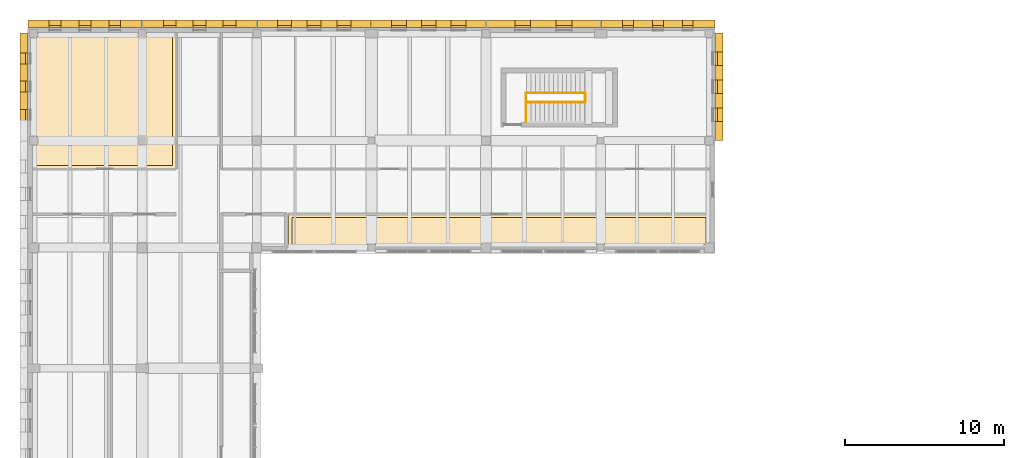
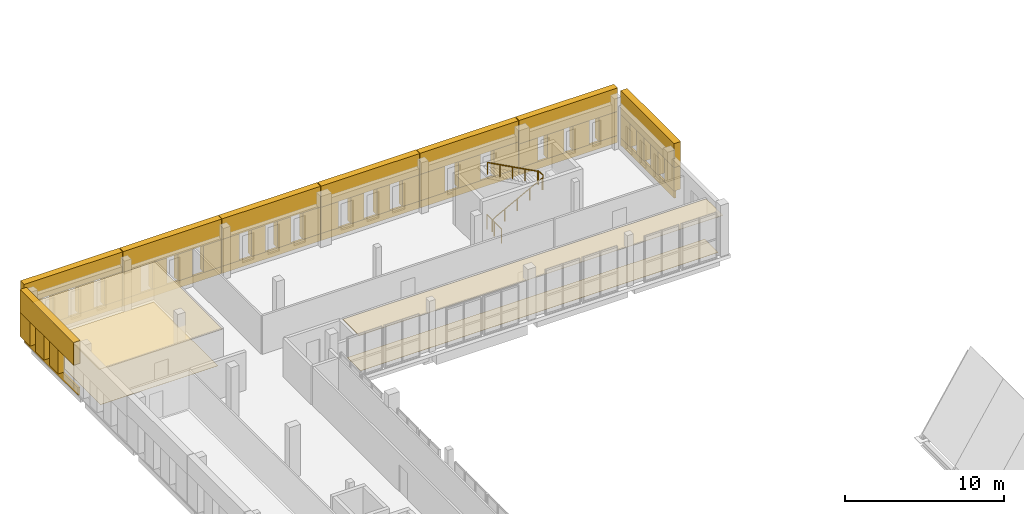
# One storey, part 53 of 56: 50 coverings, 4 railings.
"""IFC4 building model written with IfcOpenShell, lengths in metres."""

import ifcopenshell
import ifcopenshell.guid

model = None  # the IFC model being written
_history = None  # IfcOwnerHistory: only IFC2X3 demands one
_inside = {}  # id of a spatial element -> (the spatial element, [elements in it])
_under = {}  # id of a project, library or spatial element -> (it, [spatial elements below it])
_declared = {}  # id of a project -> (the project, [libraries it declares])
_typed = {}  # id of a type object -> (the type object, [elements of that type])
_made_of = {}  # id of a material, layer set ... -> (it, [elements and type objects made of it])


def new_model(schema):
    """Start an empty IFC model of exactly this schema.

    Asked for "IFC4X3", IfcOpenShell would pick the latest addendum, in which some entities
    have other attributes; the version numbers below select the first issue.
    IFC2X3 requires an IfcOwnerHistory on every rooted entity: one is made here for all.
    """
    global model, _history
    if schema == "IFC4X3":
        model = ifcopenshell.file(schema_version=(4, 3, 0, 0))
    else:
        model = ifcopenshell.file(schema=schema)
    _inside.clear()
    _under.clear()
    _declared.clear()
    _typed.clear()
    _made_of.clear()
    _history = None
    if model.schema == "IFC2X3":
        org = make("IfcOrganization", Name="unknown")
        user = make(
            "IfcPersonAndOrganization",
            ThePerson=make("IfcPerson", FamilyName="unknown"),
            TheOrganization=org,
        )
        app = make(
            "IfcApplication",
            ApplicationDeveloper=org,
            Version="unknown",
            ApplicationFullName="unknown",
            ApplicationIdentifier="unknown",
        )
        _history = make(
            "IfcOwnerHistory",
            OwningUser=user,
            OwningApplication=app,
            ChangeAction="ADDED",
            CreationDate=0,
        )
    return model


def make(cls, **values):
    """One entity of the class cls with the attributes given. An attribute that is None is left unset."""
    return model.create_entity(
        cls, **{name: value for name, value in values.items() if value is not None}
    )


def rooted(cls, **values):
    """An entity with a GlobalId (a new one), such as an element, a storey or a relation."""
    return make(cls, GlobalId=ifcopenshell.guid.new(), OwnerHistory=_history, **values)


def si_unit(unit_type, name, prefix=None):
    """IfcSIUnit, for example si_unit("LENGTHUNIT", "METRE", prefix="MILLI")."""
    return make("IfcSIUnit", UnitType=unit_type, Prefix=prefix, Name=name)


def assignment(units):
    """IfcUnitAssignment: the units of a project."""
    return None if units is None else make("IfcUnitAssignment", Units=units)


def point(xyz):
    """IfcCartesianPoint."""
    return None if xyz is None else make("IfcCartesianPoint", Coordinates=xyz)


def direction(xyz):
    """IfcDirection."""
    return None if xyz is None else make("IfcDirection", DirectionRatios=xyz)


def frame(location, z_axis=None, x_axis=None):
    """IfcAxis2Placement3D, a coordinate frame: its origin and axes. An axis left out is left unset."""
    return make(
        "IfcAxis2Placement3D",
        Location=point(location),
        Axis=direction(z_axis),
        RefDirection=direction(x_axis),
    )


def frame_2d(location, x_axis=None):
    """IfcAxis2Placement2D, a coordinate frame in the plane: its origin and x axis."""
    return make(
        "IfcAxis2Placement2D", Location=point(location), RefDirection=direction(x_axis)
    )


def origin():
    """The frame at (0, 0, 0) with its axes left unset."""
    return frame((0.0, 0.0, 0.0))


def origin_2d():
    """The frame at (0, 0) in the plane with its x axis left unset."""
    return frame_2d((0.0, 0.0))


def place(relative_to, where):
    """IfcLocalPlacement: puts the frame where relative to a parent placement (None: the world)."""
    return make(
        "IfcLocalPlacement", PlacementRelTo=relative_to, RelativePlacement=where
    )


def context(
    kind, dimensions, precision=None, world=None, true_north=None, identifier=None
):
    """IfcGeometricRepresentationContext, for example the 3D "Model" context."""
    return make(
        "IfcGeometricRepresentationContext",
        ContextIdentifier=identifier,
        ContextType=kind,
        CoordinateSpaceDimension=dimensions,
        Precision=precision,
        WorldCoordinateSystem=world,
        TrueNorth=true_north,
    )


def subcontext(parent, identifier, kind, view, scale=None):
    """IfcGeometricRepresentationSubContext, for example "Body" below "Model"."""
    return make(
        "IfcGeometricRepresentationSubContext",
        ContextIdentifier=identifier,
        ContextType=kind,
        ParentContext=parent,
        TargetScale=scale,
        TargetView=view,
    )


def project(units=None, contexts=None):
    """IfcProject with its units and contexts."""
    return rooted(
        "IfcProject",
        Name="project",
        RepresentationContexts=contexts,
        UnitsInContext=assignment(units),
    )


def spatial(cls, under=None, at=None, **own):
    """A site, building, storey or space (cls), placed at a placement, below another one or the project."""
    s = rooted(cls, ObjectPlacement=at, **own)
    if under is not None:
        _under.setdefault(under.id(), (under, []))[1].append(s)
    return s


def polyline(points):
    """IfcPolyline through the points."""
    return make("IfcPolyline", Points=[point(p) for p in points])


def profile(cls, at=None, kind="AREA", **sizes):
    """A parametric profile (cls). Its sizes go by their IFC names, for example OverallWidth=200.0."""
    return make(cls, ProfileType=kind, Position=at, **sizes)


def circle(**sizes):
    """IfcCircleProfileDef."""
    return profile("IfcCircleProfileDef", **sizes)


def outline(outer, holes=None, kind="AREA"):
    """IfcArbitraryClosedProfileDef: a profile drawn as a closed curve; with holes, ...WithVoids."""
    if holes is None:
        return make("IfcArbitraryClosedProfileDef", ProfileType=kind, OuterCurve=outer)
    return make(
        "IfcArbitraryProfileDefWithVoids",
        ProfileType=kind,
        OuterCurve=outer,
        InnerCurves=holes,
    )


def extrude(swept, where, along, depth):
    """IfcExtrudedAreaSolid: the profile swept, set in the frame where, extruded along a direction by depth."""
    return make(
        "IfcExtrudedAreaSolid",
        SweptArea=swept,
        Position=where,
        ExtrudedDirection=direction(along),
        Depth=depth,
    )


def shape(context_of_items, identifier, shape_type, items):
    """IfcShapeRepresentation: the items that make up one representation, for example the "Body"."""
    return make(
        "IfcShapeRepresentation",
        ContextOfItems=context_of_items,
        RepresentationIdentifier=identifier,
        RepresentationType=shape_type,
        Items=items,
    )


def material(Name=None, Category=None):
    """IfcMaterial."""
    return make("IfcMaterial", Name=Name, Category=Category)


def layer(
    of_material, thickness, ventilated=None, Name=None, Category=None, Priority=None
):
    """IfcMaterialLayer: one layer of a wall or slab, of a material (None: an air gap)."""
    return make(
        "IfcMaterialLayer",
        Material=of_material,
        LayerThickness=thickness,
        IsVentilated=ventilated,
        Name=Name,
        Category=Category,
        Priority=Priority,
    )


def layer_set(layers, Name=None):
    """IfcMaterialLayerSet."""
    return make("IfcMaterialLayerSet", MaterialLayers=layers, LayerSetName=Name)


def made_of(thing, what):
    """Note that an element or type object is made of a material, layer set ...; save() writes the relation."""
    if what is not None:
        _made_of.setdefault(what.id(), (what, []))[1].append(thing)
    return thing


def type_object(cls, material=None, **own):
    """A type object (cls), such as IfcWallType, which elements share."""
    return made_of(rooted(cls, **own), material)


def element(
    cls,
    number,
    at=None,
    inside=None,
    cuts=None,
    type_object=None,
    material=None,
    context=None,
    identifier="Body",
    shape_type=None,
    held_by="IfcProductDefinitionShape",
    body=None,
    shapes=None,
    **own,
):
    """One element of the class cls, such as IfcWall. Its Tag is "e" and its number.

    at: its placement. inside: the storey or other place that contains it. cuts: it is an
    opening in that element (IfcRelVoidsElement). A single representation is given by context,
    identifier, shape_type and body (its items); several are given by shapes. held_by: the class
    of the entity that holds the representations. save() writes the other relations.
    """
    e = rooted(cls, Tag="e%d" % number, ObjectPlacement=at, **own)
    if body is not None:
        shapes = [shape(context, identifier, shape_type, body)]
    if shapes is not None:
        e.Representation = make(held_by, Representations=shapes)
    if inside is not None:
        _inside.setdefault(inside.id(), (inside, []))[1].append(e)
    if cuts is not None:
        rooted(
            "IfcRelVoidsElement", RelatingBuildingElement=cuts, RelatedOpeningElement=e
        )
    if type_object is not None:
        _typed.setdefault(type_object.id(), (type_object, []))[1].append(e)
    return made_of(e, material)


def aggregate(whole, parts):
    """IfcRelAggregates: a whole, such as a stair, and the parts it consists of."""
    return rooted("IfcRelAggregates", RelatingObject=whole, RelatedObjects=parts)


def save(model, path):
    """Write the relations noted so far, then the file.

    IfcRelAggregates (storeys below a building ...), IfcRelContainedInSpatialStructure (elements
    in a storey), IfcRelDefinesByType, IfcRelAssociatesMaterial and IfcRelDeclares: one each for
    every whole, place, type object, material and project.
    """
    for whole, parts in _under.values():
        aggregate(whole, parts)
    for where, things in _inside.values():
        rooted(
            "IfcRelContainedInSpatialStructure",
            RelatedElements=things,
            RelatingStructure=where,
        )
    for kind, things in _typed.values():
        rooted("IfcRelDefinesByType", RelatedObjects=things, RelatingType=kind)
    for what, things in _made_of.values():
        rooted("IfcRelAssociatesMaterial", RelatedObjects=things, RelatingMaterial=what)
    for by, libraries in _declared.values():
        rooted("IfcRelDeclares", RelatingContext=by, RelatedDefinitions=libraries)
    model.write(path)


model = new_model("IFC4")

# Units and contexts
model_context = context("Model", 3, precision=1e-05, world=origin(), true_north=direction((0.0, 1.0)))
body_context = subcontext(model_context, "Body", "Model", "MODEL_VIEW")
ifc_project = project(units=[si_unit("LENGTHUNIT", "METRE"), si_unit("AREAUNIT", "SQUARE_METRE"), si_unit("VOLUMEUNIT", "CUBIC_METRE"), si_unit("PLANEANGLEUNIT", "RADIAN"), si_unit("MASSUNIT", "GRAM", prefix="KILO")], contexts=[model_context])

# Site, building, storey
site_placement = place(None, origin())
site = spatial("IfcSite", under=ifc_project, at=site_placement, CompositionType="ELEMENT")
building_placement = place(site_placement, origin())
building = spatial("IfcBuilding", under=site, at=building_placement, Name="Vardoun Plaza Health Centre", CompositionType="ELEMENT")
storey_placement = place(building_placement, frame((0.0, 0.0, 8.699951171875)))
storey = spatial("IfcBuildingStorey", under=building, at=storey_placement, Name="L02", CompositionType="ELEMENT", Elevation=8.699951171875)

# Coverings
ifc_material_1 = material(Name="Hygienic Acoustic Mineral-Fibre Ceiling", Category="concrete")
ifc_layer_1 = layer(ifc_material_1, 0.02490234375)
ifc_layer_set_1 = layer_set([ifc_layer_1], Name="Hygienic Acoustic Mineral-Fibre Ceiling")
covering_type_1 = type_object("IfcCoveringType", Name="CL-01", PredefinedType="CEILING", material=ifc_layer_set_1)
covering_1_placement = place(storey_placement, frame((0.0, 0.0, 2.89501953125)))
element("IfcCovering", 1, at=covering_1_placement, inside=storey, type_object=covering_type_1, Name="Midwifery Counselling Suite Acoustic Ceiling", PredefinedType="CEILING", context=body_context, shape_type="SweptSolid", body=[
    extrude(outline(polyline([(13.820068359375, 114.93994140625), (13.820068359375, 106.429931640625), (4.860107421875, 106.429931640625), (4.860107421875, 114.93994140625), (13.820068359375, 114.93994140625)])), origin(), (0.0, 0.0, 1.0), 0.025146484375),
])
covering_2_placement = place(storey_placement, frame((0.0, 0.0, 2.89501953125)))
element("IfcCovering", 2, at=covering_2_placement, inside=storey, type_object=covering_type_1, Name="Women Health Consulting Room 21 A Acoustic Ceiling", PredefinedType="CEILING", context=body_context, shape_type="SweptSolid", body=[
    extrude(outline(polyline([(20.903564453125, 101.4599609375), (20.903564453125, 103.570068359375), (47.340087890625, 103.570068359375), (47.340087890625, 101.4599609375), (20.903564453125, 101.4599609375)])), origin(), (0.0, 0.0, 1.0), 0.025146484375),
])
ifc_material_2 = material(Name="Pale Limestone Concrete C35/45", Category="masonry")
ifc_layer_2 = layer(ifc_material_2, 0.080078125)
ifc_layer_set_2 = layer_set([ifc_layer_2], Name="Pale Limestone Concrete C35/45")
covering_type_2 = type_object("IfcCoveringType", Name="CL-EXT1", PredefinedType="CLADDING", material=ifc_layer_set_2)
covering_3_placement = place(storey_placement, origin())
element("IfcCovering", 3, at=covering_3_placement, inside=storey, type_object=covering_type_2, Name="V3 L02 Pale Concrete Sill Band 838", PredefinedType="CLADDING", context=body_context, shape_type="SweptSolid", body=[
    extrude(outline(polyline([(4.52001953125, 115.300048828125), (11.679931640625, 115.300048828125), (11.679931640625, 115.43994140625), (4.52001953125, 115.43994140625), (4.52001953125, 115.300048828125)])), origin(), (0.0, 0.0, 1.0), 0.550048828125),
])
covering_4_placement = place(storey_placement, frame((0.0, 0.0, 2.68994140625)))
element("IfcCovering", 4, at=covering_4_placement, inside=storey, type_object=covering_type_2, Name="V3 L02 Sculpted Concrete Eyebrow Hood 839", PredefinedType="CLADDING", context=body_context, shape_type="SweptSolid", body=[
    extrude(outline(polyline([(4.52001953125, 115.300048828125), (11.679931640625, 115.300048828125), (11.679931640625, 115.780029296875), (4.52001953125, 115.780029296875), (4.52001953125, 115.300048828125)])), origin(), (0.0, 0.0, 1.0), 1.510009765625),
])
covering_5_placement = place(storey_placement, frame((0.0, 0.0, 0.550048828125)))
element("IfcCovering", 5, at=covering_5_placement, inside=storey, type_object=covering_type_2, Name="V3 L02 Deep-Punched Slot Concrete Reveal Pier 840", PredefinedType="CLADDING", context=body_context, shape_type="SweptSolid", body=[
    extrude(outline(polyline([(4.52001953125, 115.300048828125), (5.85302734375, 115.300048828125), (5.85302734375, 115.780029296875), (4.52001953125, 115.780029296875), (4.52001953125, 115.300048828125)])), origin(), (0.0, 0.0, 1.0), 2.139892578125),
])
covering_6_placement = place(storey_placement, frame((0.0, 0.0, 0.550048828125)))
element("IfcCovering", 6, at=covering_6_placement, inside=storey, type_object=covering_type_2, Name="V3 L02 Deep-Punched Slot Concrete Reveal Pier 841", PredefinedType="CLADDING", context=body_context, shape_type="SweptSolid", body=[
    extrude(outline(polyline([(6.60302734375, 115.300048828125), (7.72509765625, 115.300048828125), (7.72509765625, 115.780029296875), (6.60302734375, 115.780029296875), (6.60302734375, 115.300048828125)])), origin(), (0.0, 0.0, 1.0), 2.139892578125),
])
covering_7_placement = place(storey_placement, frame((0.0, 0.0, 0.550048828125)))
element("IfcCovering", 7, at=covering_7_placement, inside=storey, type_object=covering_type_2, Name="V3 L02 Deep-Punched Slot Concrete Reveal Pier 842", PredefinedType="CLADDING", context=body_context, shape_type="SweptSolid", body=[
    extrude(outline(polyline([(8.47509765625, 115.300048828125), (9.596923828125, 115.300048828125), (9.596923828125, 115.780029296875), (8.47509765625, 115.780029296875), (8.47509765625, 115.300048828125)])), origin(), (0.0, 0.0, 1.0), 2.139892578125),
])
covering_8_placement = place(storey_placement, frame((0.0, 0.0, 0.550048828125)))
element("IfcCovering", 8, at=covering_8_placement, inside=storey, type_object=covering_type_2, Name="V3 L02 Deep-Punched Slot Concrete Reveal Pier 843", PredefinedType="CLADDING", context=body_context, shape_type="SweptSolid", body=[
    extrude(outline(polyline([(10.346923828125, 115.300048828125), (11.679931640625, 115.300048828125), (11.679931640625, 115.780029296875), (10.346923828125, 115.780029296875), (10.346923828125, 115.300048828125)])), origin(), (0.0, 0.0, 1.0), 2.139892578125),
])
covering_9_placement = place(storey_placement, origin())
element("IfcCovering", 9, at=covering_9_placement, inside=storey, type_object=covering_type_2, Name="V3 L02 Pale Concrete Sill Band 844", PredefinedType="CLADDING", context=body_context, shape_type="SweptSolid", body=[
    extrude(outline(polyline([(11.719970703125, 115.300048828125), (18.8798828125, 115.300048828125), (18.8798828125, 115.43994140625), (11.719970703125, 115.43994140625), (11.719970703125, 115.300048828125)])), origin(), (0.0, 0.0, 1.0), 0.550048828125),
])
covering_10_placement = place(storey_placement, frame((0.0, 0.0, 2.610107421875)))
element("IfcCovering", 10, at=covering_10_placement, inside=storey, type_object=covering_type_2, Name="V3 L02 Sculpted Concrete Eyebrow Hood 845", PredefinedType="CLADDING", context=body_context, shape_type="SweptSolid", body=[
    extrude(outline(polyline([(11.719970703125, 115.300048828125), (18.8798828125, 115.300048828125), (18.8798828125, 115.780029296875), (11.719970703125, 115.780029296875), (11.719970703125, 115.300048828125)])), origin(), (0.0, 0.0, 1.0), 1.58984375),
])
covering_11_placement = place(storey_placement, frame((0.0, 0.0, 0.550048828125)))
element("IfcCovering", 11, at=covering_11_placement, inside=storey, type_object=covering_type_2, Name="V3 L02 Deep-Punched Slot Concrete Reveal Pier 846", PredefinedType="CLADDING", context=body_context, shape_type="SweptSolid", body=[
    extrude(outline(polyline([(11.719970703125, 115.300048828125), (13.02294921875, 115.300048828125), (13.02294921875, 115.780029296875), (11.719970703125, 115.780029296875), (11.719970703125, 115.300048828125)])), origin(), (0.0, 0.0, 1.0), 2.06005859375),
])
covering_12_placement = place(storey_placement, frame((0.0, 0.0, 0.550048828125)))
element("IfcCovering", 12, at=covering_12_placement, inside=storey, type_object=covering_type_2, Name="V3 L02 Deep-Punched Slot Concrete Reveal Pier 847", PredefinedType="CLADDING", context=body_context, shape_type="SweptSolid", body=[
    extrude(outline(polyline([(13.8330078125, 115.300048828125), (14.89501953125, 115.300048828125), (14.89501953125, 115.780029296875), (13.8330078125, 115.780029296875), (13.8330078125, 115.300048828125)])), origin(), (0.0, 0.0, 1.0), 2.06005859375),
])
covering_13_placement = place(storey_placement, frame((0.0, 0.0, 0.550048828125)))
element("IfcCovering", 13, at=covering_13_placement, inside=storey, type_object=covering_type_2, Name="V3 L02 Deep-Punched Slot Concrete Reveal Pier 848", PredefinedType="CLADDING", context=body_context, shape_type="SweptSolid", body=[
    extrude(outline(polyline([(15.705078125, 115.300048828125), (16.76708984375, 115.300048828125), (16.76708984375, 115.780029296875), (15.705078125, 115.780029296875), (15.705078125, 115.300048828125)])), origin(), (0.0, 0.0, 1.0), 2.06005859375),
])
covering_14_placement = place(storey_placement, frame((0.0, 0.0, 0.550048828125)))
element("IfcCovering", 14, at=covering_14_placement, inside=storey, type_object=covering_type_2, Name="V3 L02 Deep-Punched Slot Concrete Reveal Pier 849", PredefinedType="CLADDING", context=body_context, shape_type="SweptSolid", body=[
    extrude(outline(polyline([(17.576904296875, 115.300048828125), (18.8798828125, 115.300048828125), (18.8798828125, 115.780029296875), (17.576904296875, 115.780029296875), (17.576904296875, 115.300048828125)])), origin(), (0.0, 0.0, 1.0), 2.06005859375),
])
covering_15_placement = place(storey_placement, origin())
element("IfcCovering", 15, at=covering_15_placement, inside=storey, type_object=covering_type_2, Name="V3 L02 Pale Concrete Sill Band 850", PredefinedType="CLADDING", context=body_context, shape_type="SweptSolid", body=[
    extrude(outline(polyline([(18.919921875, 115.300048828125), (26.080078125, 115.300048828125), (26.080078125, 115.43994140625), (18.919921875, 115.43994140625), (18.919921875, 115.300048828125)])), origin(), (0.0, 0.0, 1.0), 0.550048828125),
])
covering_16_placement = place(storey_placement, frame((0.0, 0.0, 2.610107421875)))
element("IfcCovering", 16, at=covering_16_placement, inside=storey, type_object=covering_type_2, Name="V3 L02 Sculpted Concrete Eyebrow Hood 851", PredefinedType="CLADDING", context=body_context, shape_type="SweptSolid", body=[
    extrude(outline(polyline([(18.919921875, 115.300048828125), (26.080078125, 115.300048828125), (26.080078125, 115.780029296875), (18.919921875, 115.780029296875), (18.919921875, 115.300048828125)])), origin(), (0.0, 0.0, 1.0), 1.58984375),
])
covering_17_placement = place(storey_placement, frame((0.0, 0.0, 0.550048828125)))
element("IfcCovering", 17, at=covering_17_placement, inside=storey, type_object=covering_type_2, Name="V3 L02 Deep-Punched Slot Concrete Reveal Pier 852", PredefinedType="CLADDING", context=body_context, shape_type="SweptSolid", body=[
    extrude(outline(polyline([(18.919921875, 115.300048828125), (20.193115234375, 115.300048828125), (20.193115234375, 115.780029296875), (18.919921875, 115.780029296875), (18.919921875, 115.300048828125)])), origin(), (0.0, 0.0, 1.0), 2.06005859375),
])
covering_18_placement = place(storey_placement, frame((0.0, 0.0, 0.550048828125)))
element("IfcCovering", 18, at=covering_18_placement, inside=storey, type_object=covering_type_2, Name="V3 L02 Deep-Punched Slot Concrete Reveal Pier 853", PredefinedType="CLADDING", context=body_context, shape_type="SweptSolid", body=[
    extrude(outline(polyline([(21.06298828125, 115.300048828125), (22.06494140625, 115.300048828125), (22.06494140625, 115.780029296875), (21.06298828125, 115.780029296875), (21.06298828125, 115.300048828125)])), origin(), (0.0, 0.0, 1.0), 2.06005859375),
])
covering_19_placement = place(storey_placement, frame((0.0, 0.0, 0.550048828125)))
element("IfcCovering", 19, at=covering_19_placement, inside=storey, type_object=covering_type_2, Name="V3 L02 Deep-Punched Slot Concrete Reveal Pier 854", PredefinedType="CLADDING", context=body_context, shape_type="SweptSolid", body=[
    extrude(outline(polyline([(22.93505859375, 115.300048828125), (23.93701171875, 115.300048828125), (23.93701171875, 115.780029296875), (22.93505859375, 115.780029296875), (22.93505859375, 115.300048828125)])), origin(), (0.0, 0.0, 1.0), 2.06005859375),
])
covering_20_placement = place(storey_placement, frame((0.0, 0.0, 0.550048828125)))
element("IfcCovering", 20, at=covering_20_placement, inside=storey, type_object=covering_type_2, Name="V3 L02 Deep-Punched Slot Concrete Reveal Pier 855", PredefinedType="CLADDING", context=body_context, shape_type="SweptSolid", body=[
    extrude(outline(polyline([(24.806884765625, 115.300048828125), (26.080078125, 115.300048828125), (26.080078125, 115.780029296875), (24.806884765625, 115.780029296875), (24.806884765625, 115.300048828125)])), origin(), (0.0, 0.0, 1.0), 2.06005859375),
])
covering_21_placement = place(storey_placement, origin())
element("IfcCovering", 21, at=covering_21_placement, inside=storey, type_object=covering_type_2, Name="V3 L02 Pale Concrete Sill Band 856", PredefinedType="CLADDING", context=body_context, shape_type="SweptSolid", body=[
    extrude(outline(polyline([(26.1201171875, 115.300048828125), (33.280029296875, 115.300048828125), (33.280029296875, 115.43994140625), (26.1201171875, 115.43994140625), (26.1201171875, 115.300048828125)])), origin(), (0.0, 0.0, 1.0), 0.550048828125),
])
covering_22_placement = place(storey_placement, frame((0.0, 0.0, 2.570068359375)))
element("IfcCovering", 22, at=covering_22_placement, inside=storey, type_object=covering_type_2, Name="V3 L02 Sculpted Concrete Eyebrow Hood 857", PredefinedType="CLADDING", context=body_context, shape_type="SweptSolid", body=[
    extrude(outline(polyline([(26.1201171875, 115.300048828125), (33.280029296875, 115.300048828125), (33.280029296875, 115.780029296875), (26.1201171875, 115.780029296875), (26.1201171875, 115.300048828125)])), origin(), (0.0, 0.0, 1.0), 1.6298828125),
])
covering_23_placement = place(storey_placement, frame((0.0, 0.0, 0.550048828125)))
element("IfcCovering", 23, at=covering_23_placement, inside=storey, type_object=covering_type_2, Name="V3 L02 Deep-Punched Slot Concrete Reveal Pier 858", PredefinedType="CLADDING", context=body_context, shape_type="SweptSolid", body=[
    extrude(outline(polyline([(26.1201171875, 115.300048828125), (27.363037109375, 115.300048828125), (27.363037109375, 115.780029296875), (26.1201171875, 115.780029296875), (26.1201171875, 115.300048828125)])), origin(), (0.0, 0.0, 1.0), 2.02001953125),
])
covering_24_placement = place(storey_placement, frame((0.0, 0.0, 0.550048828125)))
element("IfcCovering", 24, at=covering_24_placement, inside=storey, type_object=covering_type_2, Name="V3 L02 Deep-Punched Slot Concrete Reveal Pier 859", PredefinedType="CLADDING", context=body_context, shape_type="SweptSolid", body=[
    extrude(outline(polyline([(28.29296875, 115.300048828125), (29.235107421875, 115.300048828125), (29.235107421875, 115.780029296875), (28.29296875, 115.780029296875), (28.29296875, 115.300048828125)])), origin(), (0.0, 0.0, 1.0), 2.02001953125),
])
covering_25_placement = place(storey_placement, frame((0.0, 0.0, 0.550048828125)))
element("IfcCovering", 25, at=covering_25_placement, inside=storey, type_object=covering_type_2, Name="V3 L02 Deep-Punched Slot Concrete Reveal Pier 860", PredefinedType="CLADDING", context=body_context, shape_type="SweptSolid", body=[
    extrude(outline(polyline([(30.1650390625, 115.300048828125), (31.10693359375, 115.300048828125), (31.10693359375, 115.780029296875), (30.1650390625, 115.780029296875), (30.1650390625, 115.300048828125)])), origin(), (0.0, 0.0, 1.0), 2.02001953125),
])
covering_26_placement = place(storey_placement, frame((0.0, 0.0, 0.550048828125)))
element("IfcCovering", 26, at=covering_26_placement, inside=storey, type_object=covering_type_2, Name="V3 L02 Deep-Punched Slot Concrete Reveal Pier 861", PredefinedType="CLADDING", context=body_context, shape_type="SweptSolid", body=[
    extrude(outline(polyline([(32.037109375, 115.300048828125), (33.280029296875, 115.300048828125), (33.280029296875, 115.780029296875), (32.037109375, 115.780029296875), (32.037109375, 115.300048828125)])), origin(), (0.0, 0.0, 1.0), 2.02001953125),
])
covering_27_placement = place(storey_placement, origin())
element("IfcCovering", 27, at=covering_27_placement, inside=storey, type_object=covering_type_2, Name="V3 L02 Pale Concrete Sill Band 862", PredefinedType="CLADDING", context=body_context, shape_type="SweptSolid", body=[
    extrude(outline(polyline([(33.320068359375, 115.300048828125), (40.47998046875, 115.300048828125), (40.47998046875, 115.43994140625), (33.320068359375, 115.43994140625), (33.320068359375, 115.300048828125)])), origin(), (0.0, 0.0, 1.0), 0.550048828125),
])
covering_28_placement = place(storey_placement, frame((0.0, 0.0, 2.570068359375)))
element("IfcCovering", 28, at=covering_28_placement, inside=storey, type_object=covering_type_2, Name="V3 L02 Sculpted Concrete Eyebrow Hood 863", PredefinedType="CLADDING", context=body_context, shape_type="SweptSolid", body=[
    extrude(outline(polyline([(33.320068359375, 115.300048828125), (40.47998046875, 115.300048828125), (40.47998046875, 115.780029296875), (33.320068359375, 115.780029296875), (33.320068359375, 115.300048828125)])), origin(), (0.0, 0.0, 1.0), 1.6298828125),
])
covering_29_placement = place(storey_placement, frame((0.0, 0.0, 0.550048828125)))
element("IfcCovering", 29, at=covering_29_placement, inside=storey, type_object=covering_type_2, Name="V3 L02 Deep-Punched Slot Concrete Reveal Pier 864", PredefinedType="CLADDING", context=body_context, shape_type="SweptSolid", body=[
    extrude(outline(polyline([(33.320068359375, 115.300048828125), (35.10888671875, 115.300048828125), (35.10888671875, 115.780029296875), (33.320068359375, 115.780029296875), (33.320068359375, 115.300048828125)])), origin(), (0.0, 0.0, 1.0), 2.02001953125),
])
covering_30_placement = place(storey_placement, frame((0.0, 0.0, 0.550048828125)))
element("IfcCovering", 30, at=covering_30_placement, inside=storey, type_object=covering_type_2, Name="V3 L02 Deep-Punched Slot Concrete Reveal Pier 865", PredefinedType="CLADDING", context=body_context, shape_type="SweptSolid", body=[
    extrude(outline(polyline([(36.09912109375, 115.300048828125), (37.700927734375, 115.300048828125), (37.700927734375, 115.780029296875), (36.09912109375, 115.780029296875), (36.09912109375, 115.300048828125)])), origin(), (0.0, 0.0, 1.0), 2.02001953125),
])
covering_31_placement = place(storey_placement, frame((0.0, 0.0, 0.550048828125)))
element("IfcCovering", 31, at=covering_31_placement, inside=storey, type_object=covering_type_2, Name="V3 L02 Deep-Punched Slot Concrete Reveal Pier 866", PredefinedType="CLADDING", context=body_context, shape_type="SweptSolid", body=[
    extrude(outline(polyline([(38.69091796875, 115.300048828125), (40.47998046875, 115.300048828125), (40.47998046875, 115.780029296875), (38.69091796875, 115.780029296875), (38.69091796875, 115.300048828125)])), origin(), (0.0, 0.0, 1.0), 2.02001953125),
])
covering_32_placement = place(storey_placement, origin())
element("IfcCovering", 32, at=covering_32_placement, inside=storey, type_object=covering_type_2, Name="V3 L02 Pale Concrete Sill Band 867", PredefinedType="CLADDING", context=body_context, shape_type="SweptSolid", body=[
    extrude(outline(polyline([(40.52001953125, 115.300048828125), (47.679931640625, 115.300048828125), (47.679931640625, 115.43994140625), (40.52001953125, 115.43994140625), (40.52001953125, 115.300048828125)])), origin(), (0.0, 0.0, 1.0), 0.550048828125),
])
covering_33_placement = place(storey_placement, frame((0.0, 0.0, 2.400146484375)))
element("IfcCovering", 33, at=covering_33_placement, inside=storey, type_object=covering_type_2, Name="V3 L02 Sculpted Concrete Eyebrow Hood 868", PredefinedType="CLADDING", context=body_context, shape_type="SweptSolid", body=[
    extrude(outline(polyline([(40.52001953125, 115.300048828125), (47.679931640625, 115.300048828125), (47.679931640625, 115.780029296875), (40.52001953125, 115.780029296875), (40.52001953125, 115.300048828125)])), origin(), (0.0, 0.0, 1.0), 1.7998046875),
])
covering_34_placement = place(storey_placement, frame((0.0, 0.0, 0.550048828125)))
element("IfcCovering", 34, at=covering_34_placement, inside=storey, type_object=covering_type_2, Name="V3 L02 Deep-Punched Slot Concrete Reveal Pier 869", PredefinedType="CLADDING", context=body_context, shape_type="SweptSolid", body=[
    extrude(outline(polyline([(40.52001953125, 115.300048828125), (41.887939453125, 115.300048828125), (41.887939453125, 115.780029296875), (40.52001953125, 115.780029296875), (40.52001953125, 115.300048828125)])), origin(), (0.0, 0.0, 1.0), 1.85009765625),
])
covering_35_placement = place(storey_placement, frame((0.0, 0.0, 0.550048828125)))
element("IfcCovering", 35, at=covering_35_placement, inside=storey, type_object=covering_type_2, Name="V3 L02 Deep-Punched Slot Concrete Reveal Pier 870", PredefinedType="CLADDING", context=body_context, shape_type="SweptSolid", body=[
    extrude(outline(polyline([(42.568115234375, 115.300048828125), (43.760009765625, 115.300048828125), (43.760009765625, 115.780029296875), (42.568115234375, 115.780029296875), (42.568115234375, 115.300048828125)])), origin(), (0.0, 0.0, 1.0), 1.85009765625),
])
covering_36_placement = place(storey_placement, frame((0.0, 0.0, 0.550048828125)))
element("IfcCovering", 36, at=covering_36_placement, inside=storey, type_object=covering_type_2, Name="V3 L02 Deep-Punched Slot Concrete Reveal Pier 871", PredefinedType="CLADDING", context=body_context, shape_type="SweptSolid", body=[
    extrude(outline(polyline([(44.43994140625, 115.300048828125), (45.632080078125, 115.300048828125), (45.632080078125, 115.780029296875), (44.43994140625, 115.780029296875), (44.43994140625, 115.300048828125)])), origin(), (0.0, 0.0, 1.0), 1.85009765625),
])
covering_37_placement = place(storey_placement, frame((0.0, 0.0, 0.550048828125)))
element("IfcCovering", 37, at=covering_37_placement, inside=storey, type_object=covering_type_2, Name="V3 L02 Deep-Punched Slot Concrete Reveal Pier 872", PredefinedType="CLADDING", context=body_context, shape_type="SweptSolid", body=[
    extrude(outline(polyline([(46.31201171875, 115.300048828125), (47.679931640625, 115.300048828125), (47.679931640625, 115.780029296875), (46.31201171875, 115.780029296875), (46.31201171875, 115.300048828125)])), origin(), (0.0, 0.0, 1.0), 1.85009765625),
])
covering_38_placement = place(storey_placement, origin())
element("IfcCovering", 38, at=covering_38_placement, inside=storey, type_object=covering_type_2, Name="V3 L02 Pale Concrete Sill Band 873", PredefinedType="CLADDING", context=body_context, shape_type="SweptSolid", body=[
    extrude(outline(polyline([(47.699951171875, 114.965087890625), (47.699951171875, 108.219970703125), (47.840087890625, 108.219970703125), (47.840087890625, 114.965087890625), (47.699951171875, 114.965087890625)])), origin(), (0.0, 0.0, 1.0), 0.550048828125),
])
covering_39_placement = place(storey_placement, frame((0.0, 0.0, 2.35009765625)))
element("IfcCovering", 39, at=covering_39_placement, inside=storey, type_object=covering_type_2, Name="V3 L02 Sculpted Concrete Eyebrow Hood 874", PredefinedType="CLADDING", context=body_context, shape_type="SweptSolid", body=[
    extrude(outline(polyline([(47.699951171875, 114.965087890625), (47.699951171875, 108.219970703125), (48.179931640625, 108.219970703125), (48.179931640625, 114.965087890625), (47.699951171875, 114.965087890625)])), origin(), (0.0, 0.0, 1.0), 1.849853515625),
])
covering_40_placement = place(storey_placement, frame((0.0, 0.0, 0.550048828125)))
element("IfcCovering", 40, at=covering_40_placement, inside=storey, type_object=covering_type_2, Name="V3 L02 Deep-Punched Slot Concrete Reveal Pier 875", PredefinedType="CLADDING", context=body_context, shape_type="SweptSolid", body=[
    extrude(outline(polyline([(47.699951171875, 114.965087890625), (47.699951171875, 113.776611328125), (48.179931640625, 113.776611328125), (48.179931640625, 114.965087890625), (47.699951171875, 114.965087890625)])), origin(), (0.0, 0.0, 1.0), 1.800048828125),
])
covering_41_placement = place(storey_placement, frame((0.0, 0.0, 0.550048828125)))
element("IfcCovering", 41, at=covering_41_placement, inside=storey, type_object=covering_type_2, Name="V3 L02 Deep-Punched Slot Concrete Reveal Pier 876", PredefinedType="CLADDING", context=body_context, shape_type="SweptSolid", body=[
    extrude(outline(polyline([(47.699951171875, 112.9365234375), (47.699951171875, 112.012451171875), (48.179931640625, 112.012451171875), (48.179931640625, 112.9365234375), (47.699951171875, 112.9365234375)])), origin(), (0.0, 0.0, 1.0), 1.800048828125),
])
covering_42_placement = place(storey_placement, frame((0.0, 0.0, 0.550048828125)))
element("IfcCovering", 42, at=covering_42_placement, inside=storey, type_object=covering_type_2, Name="V3 L02 Deep-Punched Slot Concrete Reveal Pier 877", PredefinedType="CLADDING", context=body_context, shape_type="SweptSolid", body=[
    extrude(outline(polyline([(47.699951171875, 111.172607421875), (47.699951171875, 110.248291015625), (48.179931640625, 110.248291015625), (48.179931640625, 111.172607421875), (47.699951171875, 111.172607421875)])), origin(), (0.0, 0.0, 1.0), 1.800048828125),
])
covering_43_placement = place(storey_placement, frame((0.0, 0.0, 0.550048828125)))
element("IfcCovering", 43, at=covering_43_placement, inside=storey, type_object=covering_type_2, Name="V3 L02 Deep-Punched Slot Concrete Reveal Pier 878", PredefinedType="CLADDING", context=body_context, shape_type="SweptSolid", body=[
    extrude(outline(polyline([(47.699951171875, 109.408447265625), (47.699951171875, 108.219970703125), (48.179931640625, 108.219970703125), (48.179931640625, 109.408447265625), (47.699951171875, 109.408447265625)])), origin(), (0.0, 0.0, 1.0), 1.800048828125),
])
covering_44_placement = place(storey_placement, origin())
element("IfcCovering", 44, at=covering_44_placement, inside=storey, type_object=covering_type_2, Name="V3 L02 Pale Concrete Sill Band 903", PredefinedType="CLADDING", context=body_context, shape_type="SweptSolid", body=[
    extrude(outline(polyline([(4.5, 108.219970703125), (4.5, 114.965087890625), (4.360107421875, 114.965087890625), (4.360107421875, 108.219970703125), (4.5, 108.219970703125)])), origin(), (0.0, 0.0, 1.0), 0.60009765625),
])
covering_45_placement = place(storey_placement, frame((0.0, 0.0, 2.449951171875)))
element("IfcCovering", 45, at=covering_45_placement, inside=storey, type_object=covering_type_2, Name="V3 L02 Sculpted Concrete Eyebrow Hood 904", PredefinedType="CLADDING", context=body_context, shape_type="SweptSolid", body=[
    extrude(outline(polyline([(4.5, 108.219970703125), (4.5, 114.965087890625), (4.02001953125, 114.965087890625), (4.02001953125, 108.219970703125), (4.5, 108.219970703125)])), origin(), (0.0, 0.0, 1.0), 1.75),
])
covering_46_placement = place(storey_placement, frame((0.0, 0.0, 0.60009765625)))
element("IfcCovering", 46, at=covering_46_placement, inside=storey, type_object=covering_type_2, Name="V3 L02 Deep-Punched Slot Concrete Reveal Pier 906", PredefinedType="CLADDING", context=body_context, shape_type="SweptSolid", body=[
    extrude(outline(polyline([(4.5, 110.16845703125), (4.5, 111.25244140625), (4.02001953125, 111.25244140625), (4.02001953125, 110.16845703125), (4.5, 110.16845703125)])), origin(), (0.0, 0.0, 1.0), 1.849853515625),
])
covering_47_placement = place(storey_placement, frame((0.0, 0.0, 0.60009765625)))
element("IfcCovering", 47, at=covering_47_placement, inside=storey, type_object=covering_type_2, Name="V3 L02 Deep-Punched Slot Concrete Reveal Pier 907", PredefinedType="CLADDING", context=body_context, shape_type="SweptSolid", body=[
    extrude(outline(polyline([(4.5, 111.9326171875), (4.5, 113.0166015625), (4.02001953125, 113.0166015625), (4.02001953125, 111.9326171875), (4.5, 111.9326171875)])), origin(), (0.0, 0.0, 1.0), 1.849853515625),
])
covering_48_placement = place(storey_placement, frame((0.0, 0.0, 0.60009765625)))
element("IfcCovering", 48, at=covering_48_placement, inside=storey, type_object=covering_type_2, Name="V3 L02 Deep-Punched Slot Concrete Reveal Pier 908", PredefinedType="CLADDING", context=body_context, shape_type="SweptSolid", body=[
    extrude(outline(polyline([(4.5, 113.696533203125), (4.5, 114.965087890625), (4.02001953125, 114.965087890625), (4.02001953125, 113.696533203125), (4.5, 113.696533203125)])), origin(), (0.0, 0.0, 1.0), 1.849853515625),
])
ifc_material_3 = material(Name="Seamless Conductive Clinical Vinyl Flooring", Category="concrete")
ifc_layer_3 = layer(ifc_material_3, 0.014892578125)
ifc_layer_set_3 = layer_set([ifc_layer_3], Name="Seamless Conductive Clinical Vinyl Flooring")
covering_type_3 = type_object("IfcCoveringType", Name="FL-01", PredefinedType="FLOORING", material=ifc_layer_set_3)
covering_49_placement = place(storey_placement, origin())
element("IfcCovering", 49, at=covering_49_placement, inside=storey, type_object=covering_type_3, Name="Midwifery Counselling Suite Floor Finish", PredefinedType="FLOORING", context=body_context, shape_type="SweptSolid", body=[
    extrude(outline(polyline([(13.610107421875, 114.72998046875), (13.610107421875, 106.639892578125), (5.070068359375, 106.639892578125), (5.070068359375, 114.72998046875), (13.610107421875, 114.72998046875)])), origin(), (0.0, 0.0, 1.0), 0.01513671875),
])
covering_50_placement = place(storey_placement, origin())
element("IfcCovering", 50, at=covering_50_placement, inside=storey, type_object=covering_type_3, Name="Women Health Consulting Room 21 A Floor Finish", PredefinedType="FLOORING", context=body_context, shape_type="SweptSolid", body=[
    extrude(outline(polyline([(21.113525390625, 101.669921875), (21.113525390625, 103.360107421875), (47.1298828125, 103.360107421875), (47.1298828125, 101.669921875), (21.113525390625, 101.669921875)])), origin(), (0.0, 0.0, 1.0), 0.01513671875),
])

# Railings
ifc_material_4 = material(Name="Painted Steel S275JR Stair-Well Guardrail", Category="steel")
railing_type_1 = type_object("IfcRailingType", Name="GR-04", PredefinedType="GUARDRAIL", material=ifc_material_4)
railing_1_placement = place(storey_placement, frame((35.81005859375, 109.3798828125, 0.0)))
element("IfcRailing", 51, at=railing_1_placement, inside=storey, type_object=railing_type_1, Name="Stair ST-C4-L01 Upper Landing Well Guard", PredefinedType="GUARDRAIL", context=body_context, shape_type="SweptSolid", body=[
    extrude(circle(Radius=0.02392578125, at=origin_2d()), frame((0.0, 0.0, 1.09619140625), z_axis=(0.0, 1.0, 0.0), x_axis=(-1.0, 0.0, 0.0)), (0.0, 0.0, 1.0), 1.815185546875),
    extrude(circle(Radius=0.02099609375, at=origin_2d()), origin(), (0.0, 0.0, 1.0), 1.072021484375),
    extrude(circle(Radius=0.02099609375, at=origin_2d()), frame((0.0, 0.90771484375, 0.0)), (0.0, 0.0, 1.0), 1.072021484375),
    extrude(circle(Radius=0.02099609375, at=origin_2d()), frame((0.0, 1.815185546875, 0.0)), (0.0, 0.0, 1.0), 1.072021484375),
])
railing_2_placement = place(storey_placement, frame((39.530029296875, 110.60498046875, 2.10009765625)))
element("IfcRailing", 52, at=railing_2_placement, inside=storey, type_object=railing_type_1, Name="Stair ST-C4-L02 Mid-Landing Well Guard", PredefinedType="GUARDRAIL", context=body_context, shape_type="SweptSolid", body=[
    extrude(circle(Radius=0.02392578125, at=origin_2d()), frame((0.0, 0.0, 1.09619140625), z_axis=(0.0, 1.0, 0.0), x_axis=(-1.0, 0.0, 0.0)), (0.0, 0.0, 1.0), 0.590087890625),
    extrude(circle(Radius=0.02099609375, at=origin_2d()), origin(), (0.0, 0.0, 1.0), 1.072021484375),
    extrude(circle(Radius=0.02099609375, at=origin_2d()), frame((0.0, 0.590087890625, 0.0)), (0.0, 0.0, 1.0), 1.072021484375),
])
ifc_material_5 = material(Name="Brushed Stainless Steel Grade 316L", Category="steel")
railing_type_2 = type_object("IfcRailingType", Name="HR-01", PredefinedType="HANDRAIL", material=ifc_material_5)
railing_3_placement = place(storey_placement, frame((35.85009765625, 110.60498046875, 0.150146484375)))
element("IfcRailing", 53, at=railing_3_placement, inside=storey, type_object=railing_type_2, Name="Stair ST-C4-L02 Flight 1 Handrail", PredefinedType="HANDRAIL", context=body_context, shape_type="SweptSolid", body=[
    extrude(circle(Radius=0.02392578125, at=origin_2d()), frame((0.0, 0.0, 0.89599609375), z_axis=(0.881479091078, 0.0, 0.472223053219), x_axis=(0.0, 1.0, 0.0)), (0.0, 0.0, 1.0), 4.12939453125),
    extrude(circle(Radius=0.02099609375, at=origin_2d()), origin(), (0.0, 0.0, 1.0), 0.871826171875),
    extrude(circle(Radius=0.02099609375, at=origin_2d()), frame((0.909912109375, 0.0, 0.487548828125)), (0.0, 0.0, 1.0), 0.871826171875),
    extrude(circle(Radius=0.02099609375, at=origin_2d()), frame((1.81982421875, 0.0, 0.97509765625)), (0.0, 0.0, 1.0), 0.871826171875),
    extrude(circle(Radius=0.02099609375, at=origin_2d()), frame((2.72998046875, 0.0, 1.46240234375)), (0.0, 0.0, 1.0), 0.871826171875),
    extrude(circle(Radius=0.02099609375, at=origin_2d()), frame((3.639892578125, 0.0, 1.949951171875)), (0.0, 0.0, 1.0), 0.871826171875),
])
railing_4_placement = place(storey_placement, frame((39.489990234375, 111.195068359375, 2.25)))
element("IfcRailing", 54, at=railing_4_placement, inside=storey, type_object=railing_type_2, Name="Stair ST-C4-L02 Flight 2 Handrail", PredefinedType="HANDRAIL", context=body_context, shape_type="SweptSolid", body=[
    extrude(circle(Radius=0.02392578125, at=origin_2d()), frame((0.0, 0.0, 0.89599609375), z_axis=(-0.881479091078, 0.0, 0.472223053219), x_axis=(0.0, -1.0, 0.0)), (0.0, 0.0, 1.0), 4.12939453125),
    extrude(circle(Radius=0.02099609375, at=origin_2d()), origin(), (0.0, 0.0, 1.0), 0.871826171875),
    extrude(circle(Radius=0.02099609375, at=origin_2d()), frame((-0.909912109375, 0.0, 0.487548828125)), (0.0, 0.0, 1.0), 0.871826171875),
    extrude(circle(Radius=0.02099609375, at=origin_2d()), frame((-1.81982421875, 0.0, 0.97509765625)), (0.0, 0.0, 1.0), 0.871826171875),
    extrude(circle(Radius=0.02099609375, at=origin_2d()), frame((-2.72998046875, 0.0, 1.46240234375)), (0.0, 0.0, 1.0), 0.871826171875),
    extrude(circle(Radius=0.02099609375, at=origin_2d()), frame((-3.639892578125, 0.0, 1.949951171875)), (0.0, 0.0, 1.0), 0.871826171875),
])

save(model, "model.ifc")
